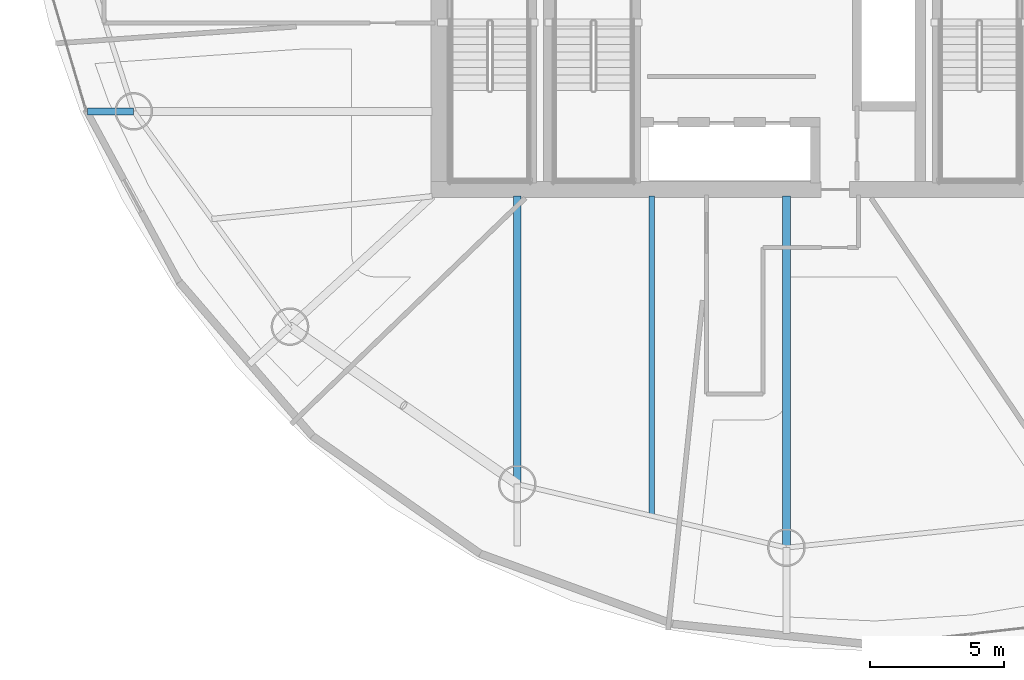
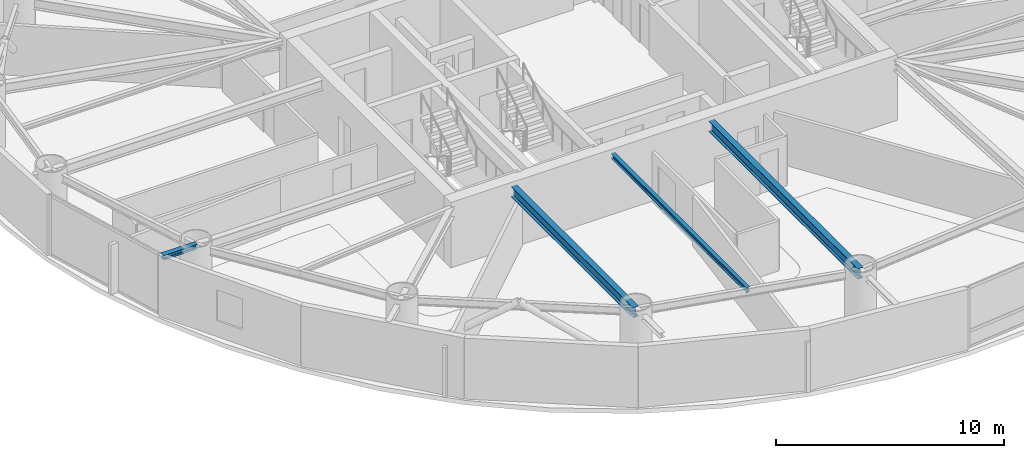
# One storey, part 3 of 22: 4 beams.
"""IFC4 building model written with IfcOpenShell, lengths in metres."""

from ifc_helpers import new_model, si_unit, direction, frame, origin, origin_2d, place, context, subcontext, project, spatial, i_section, extrude, material, material_profile, profile_set, type_object, element, save


model = new_model("IFC4")

# Units and contexts
model_context = context("Model", 3, precision=1e-05, world=origin(), true_north=direction((0.0, 1.0)))
body_context = subcontext(model_context, "Body", "Model", "MODEL_VIEW")
ifc_project = project(units=[si_unit("LENGTHUNIT", "METRE"), si_unit("AREAUNIT", "SQUARE_METRE"), si_unit("VOLUMEUNIT", "CUBIC_METRE"), si_unit("PLANEANGLEUNIT", "RADIAN"), si_unit("MASSUNIT", "GRAM", prefix="KILO")], contexts=[model_context])

# Site, building, storey
site_placement = place(None, origin())
site = spatial("IfcSite", under=ifc_project, at=site_placement, CompositionType="ELEMENT")
building_placement = place(site_placement, origin())
building = spatial("IfcBuilding", under=site, at=building_placement, Name="Bramvorn Convention Spire", CompositionType="ELEMENT")
storey_placement = place(building_placement, frame((0.0, 0.0, 141.300048828125)))
storey = spatial("IfcBuildingStorey", under=building, at=storey_placement, Name="L35", CompositionType="ELEMENT", Elevation=141.300048828125)

# Beams
ifc_material = material(Name="Steel CSA G40.21 Grade 350 (350W)", Category="steel")
ifc_material_profile_1 = material_profile(ifc_material, i_section(OverallWidth=0.201904296875, OverallDepth=0.2470703125, WebThickness=0.00732421875, FlangeThickness=0.010986328125, FilletRadius=0.011962890625, at=origin_2d()))
ifc_profile_set_1 = profile_set([ifc_material_profile_1], Name="Steel CSA G40.21 Grade 350 (350W) - W250X49")
beam_type_1 = type_object("IfcBeamType", Name="BM-W250X49", PredefinedType="JOIST", material=ifc_profile_set_1)
beam_1_placement = place(storey_placement, frame((34.920654296875, 18.550048828125, 3.136474609375), z_axis=(0.0, -1.0, 0.0), x_axis=(1.0, 0.0, 0.0)))
element("IfcBeam", 1, at=beam_1_placement, inside=storey, type_object=beam_type_1, Name="L35 composite floor joist 13", PredefinedType="JOIST", context=body_context, shape_type="SweptSolid", body=[
    extrude(i_section(OverallWidth=0.201904296875, OverallDepth=0.2470703125, WebThickness=0.00732421875, FlangeThickness=0.010986328125, FilletRadius=0.011962890625, at=origin_2d()), origin(), (0.0, 0.0, 1.0), 11.8857421875),
])
ifc_material_profile_2 = material_profile(ifc_material, i_section(OverallWidth=0.25390625, OverallDepth=0.2529296875, WebThickness=0.008544921875, FlangeThickness=0.01416015625, FilletRadius=0.011962890625, at=origin_2d()))
ifc_profile_set_2 = profile_set([ifc_material_profile_2], Name="Steel CSA G40.21 Grade 350 (350W) - W250X73")
beam_type_2 = type_object("IfcBeamType", Name="BM-W250X73", PredefinedType="BEAM", material=ifc_profile_set_2)
beam_2_placement = place(storey_placement, frame((15.654296875, 21.706787109375, 3.133544921875), z_axis=(-1.0, 0.0, 0.0), x_axis=(0.0, -1.0, 0.0)))
element("IfcBeam", 2, at=beam_2_placement, inside=storey, type_object=beam_type_2, Name="L35 slab-edge cantilever tip beam MC11", PredefinedType="BEAM", context=body_context, shape_type="SweptSolid", body=[
    extrude(i_section(OverallWidth=0.25390625, OverallDepth=0.2529296875, WebThickness=0.008544921875, FlangeThickness=0.01416015625, FilletRadius=0.011962890625, at=origin_2d()), origin(), (0.0, 0.0, 1.0), 1.720458984375),
])
ifc_material_profile_3 = material_profile(ifc_material, i_section(OverallWidth=0.2919921875, OverallDepth=0.551025390625, WebThickness=0.01513671875, FlangeThickness=0.0244140625, FilletRadius=0.01904296875, at=origin_2d()))
ifc_profile_set_3 = profile_set([ifc_material_profile_3], Name="Steel CSA G40.21 Grade 350 (350W) - W530X182")
beam_type_3 = type_object("IfcBeamType", Name="BM-W530X182", PredefinedType="BEAM", material=ifc_profile_set_3)
beam_3_placement = place(storey_placement, frame((29.917236328125, 18.550048828125, 2.984375), z_axis=(0.0, -1.0, 0.0), x_axis=(1.0, 0.0, 0.0)))
element("IfcBeam", 3, at=beam_3_placement, inside=storey, type_object=beam_type_3, Name="L35 radial floor girder MC13", PredefinedType="BEAM", context=body_context, shape_type="SweptSolid", body=[
    extrude(i_section(OverallWidth=0.2919921875, OverallDepth=0.551025390625, WebThickness=0.01513671875, FlangeThickness=0.0244140625, FilletRadius=0.01904296875, at=origin_2d()), origin(), (0.0, 0.0, 1.0), 10.7041015625),
])
beam_4_placement = place(storey_placement, frame((39.924072265625, 18.550048828125, 2.984375), z_axis=(0.0, -1.0, 0.0), x_axis=(1.0, 0.0, 0.0)))
element("IfcBeam", 4, at=beam_4_placement, inside=storey, type_object=beam_type_3, Name="L35 radial floor girder MC14", PredefinedType="BEAM", context=body_context, shape_type="SweptSolid", body=[
    extrude(i_section(OverallWidth=0.2919921875, OverallDepth=0.551025390625, WebThickness=0.01513671875, FlangeThickness=0.0244140625, FilletRadius=0.01904296875, at=origin_2d()), origin(), (0.0, 0.0, 1.0), 13.0673828125),
])

save(model, "model.ifc")
